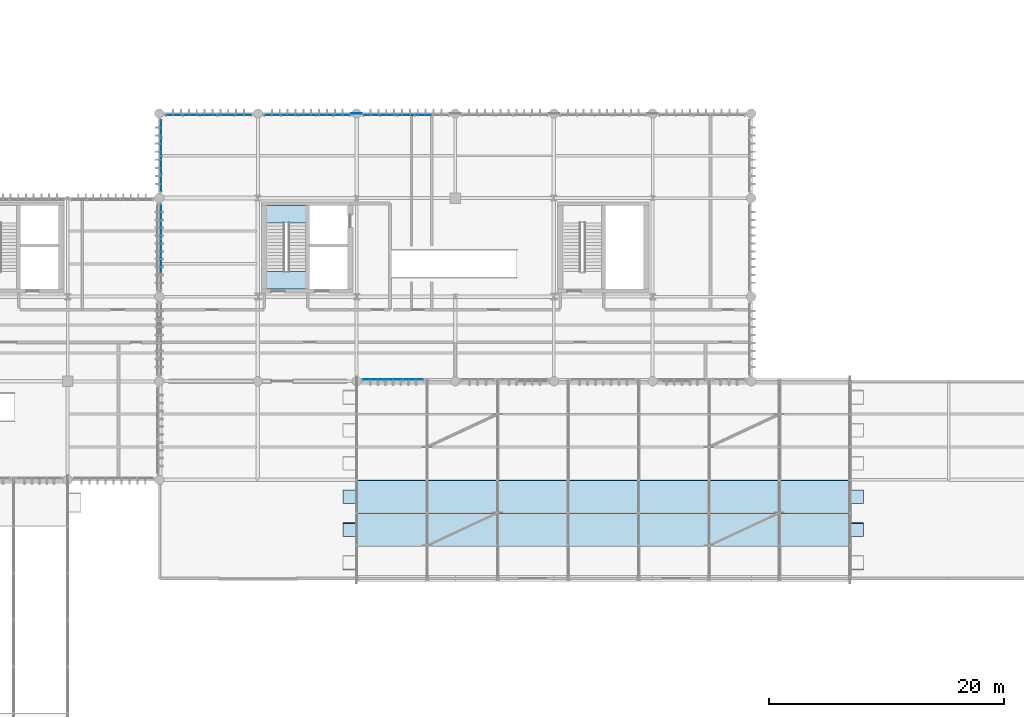
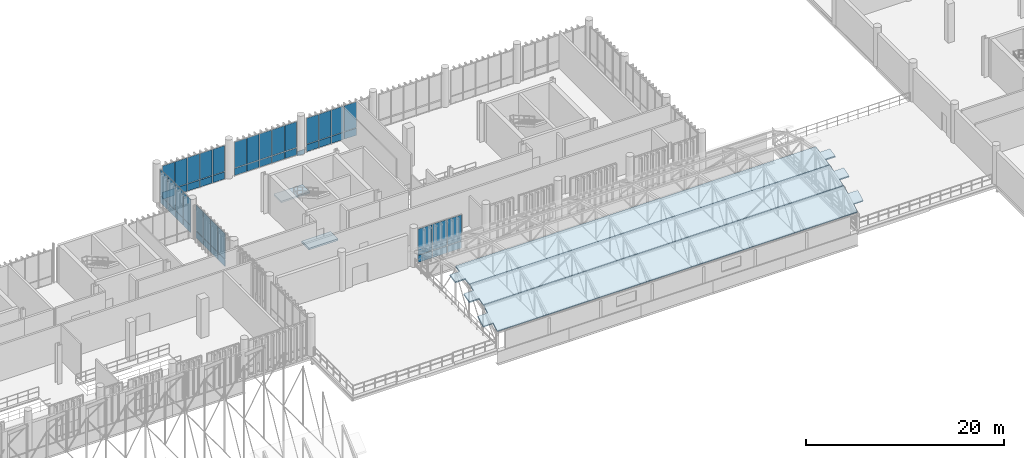
# One storey, part 82 of 109: 51 plates, 5 slabs, 7 elements without a shape of their own.
"""IFC4 building model written with IfcOpenShell, lengths in metres."""

from ifc_helpers import new_model, si_unit, direction, frame, frame_2d, origin_with_axes, origin_2d_with_axis, place, context, subcontext, project, spatial, polyline, rectangle, outline, extrude, material, layer, layer_set, type_object, element, aggregate, save


model = new_model("IFC4")

# Units and contexts
model_context = context("Model", 3, precision=1e-05, world=origin_with_axes(), true_north=direction((0.0, 1.0)))
body_context = subcontext(model_context, "Body", "Model", "MODEL_VIEW")
ifc_project = project(units=[si_unit("LENGTHUNIT", "METRE"), si_unit("AREAUNIT", "SQUARE_METRE"), si_unit("VOLUMEUNIT", "CUBIC_METRE"), si_unit("PLANEANGLEUNIT", "RADIAN"), si_unit("MASSUNIT", "GRAM", prefix="KILO"), si_unit("THERMODYNAMICTEMPERATUREUNIT", "KELVIN")], contexts=[model_context])

# Site, building, storey
site_placement = place(None, origin_with_axes())
site = spatial("IfcSite", under=ifc_project, at=site_placement, CompositionType="ELEMENT")
building_placement = place(site_placement, origin_with_axes())
building = spatial("IfcBuilding", under=site, at=building_placement, Name="Montbau Bow Law Courts", CompositionType="ELEMENT")
storey_placement = place(building_placement, frame((0.0, 0.0, 10.8), z_axis=(0.0, 0.0, 1.0), x_axis=(1.0, 0.0, 0.0)))
storey = spatial("IfcBuildingStorey", under=building, at=storey_placement, Name="L02", CompositionType="ELEMENT", Elevation=10.8)

# Curtain wall, plates
ifc_material_1 = material(Name="Thermally Broken Extruded Aluminium AA 6063-T6", Category="aluminium")
curtain_wall_type = type_object("IfcCurtainWallType", Name="CW-CRM-01", PredefinedType="NOTDEFINED", material=ifc_material_1)
curtain_wall_1_placement = place(None, frame((64.115, 39.14, 10.8), z_axis=(0.0, 0.0, 1.0), x_axis=(1.0, 0.0, 0.0)))
curtain_wall_1 = element("IfcCurtainWall", 1, at=curtain_wall_1_placement, inside=storey, type_object=curtain_wall_type, Name="CW-L02-157:cw_0157", PredefinedType="NOTDEFINED")
ifc_material_2 = material(Name="Triple-Glazed Low-E Argon Insulating Glass Unit", Category="glass")
ifc_layer_1 = layer(ifc_material_2, 0.044, Name="Curtain Panel", Category="glass")
ifc_layer_set_1 = layer_set([ifc_layer_1], Name="Triple-Glazed Low-E Argon Insulating Glass Unit")
plate_type_1 = type_object("IfcPlateType", Name="PL-CWP-01", PredefinedType="CURTAIN_PANEL", material=ifc_layer_set_1)
plate_1_placement = place(None, frame((64.183, 39.14, 11.78), z_axis=(0.0, -1.0, 0.0), x_axis=(1.0, 0.0, 0.0)))
plate_1 = element("IfcPlate", 2, at=plate_1_placement, type_object=plate_type_1, Name="CW-L02-157-P01-2:cw_0157_P01_2", PredefinedType="CURTAIN_PANEL", context=body_context, shape_type="SweptSolid", body=[
    extrude(rectangle(XDim=1.627, YDim=3.183, at=frame_2d((0.8135, 1.5915), x_axis=(1.0, 0.0))), frame((0.0, 0.0, -0.022), z_axis=(0.0, 0.0, 1.0), x_axis=(1.0, 0.0, 0.0)), (0.0, 0.0, 1.0), 0.044),
])
plate_2_placement = place(None, frame((65.879, 39.14, 11.78), z_axis=(0.0, -1.0, 0.0), x_axis=(1.0, 0.0, 0.0)))
plate_2 = element("IfcPlate", 3, at=plate_2_placement, type_object=plate_type_1, Name="CW-L02-157-P02-2:cw_0157_P02_2", PredefinedType="CURTAIN_PANEL", context=body_context, shape_type="SweptSolid", body=[
    extrude(rectangle(XDim=1.661, YDim=3.183, at=frame_2d((0.8305, 1.5915), x_axis=(1.0, 0.0))), frame((0.0, 0.0, -0.022), z_axis=(0.0, 0.0, 1.0), x_axis=(1.0, 0.0, 0.0)), (0.0, 0.0, 1.0), 0.044),
])
plate_3_placement = place(None, frame((67.609, 39.14, 11.78), z_axis=(0.0, -1.0, 0.0), x_axis=(1.0, 0.0, 0.0)))
plate_3 = element("IfcPlate", 4, at=plate_3_placement, type_object=plate_type_1, Name="CW-L02-157-P03-2:cw_0157_P03_2", PredefinedType="CURTAIN_PANEL", context=body_context, shape_type="SweptSolid", body=[
    extrude(rectangle(XDim=1.628, YDim=3.183, at=frame_2d((0.814, 1.5915), x_axis=(1.0, 0.0))), frame((0.0, 0.0, -0.022), z_axis=(0.0, 0.0, 1.0), x_axis=(1.0, 0.0, 0.0)), (0.0, 0.0, 1.0), 0.044),
])

curtain_wall_2_placement = place(None, frame((47.315, 61.66, 10.8), z_axis=(0.0, 0.0, 1.0), x_axis=(1.0, 0.0, 0.0)))
curtain_wall_2 = element("IfcCurtainWall", 5, at=curtain_wall_2_placement, inside=storey, type_object=curtain_wall_type, Name="CW-L02-163:cw_0163", PredefinedType="NOTDEFINED")
plate_4_placement = place(None, frame((47.383, 61.66, 11.78), z_axis=(0.0, -1.0, 0.0), x_axis=(1.0, 0.0, 0.0)))
plate_4 = element("IfcPlate", 6, at=plate_4_placement, type_object=plate_type_1, Name="CW-L02-163-P01-2:cw_0163_P01_2", PredefinedType="CURTAIN_PANEL", context=body_context, shape_type="SweptSolid", body=[
    extrude(rectangle(XDim=1.372, YDim=3.183, at=frame_2d((0.686, 1.5915), x_axis=(1.0, 0.0))), frame((0.0, 0.0, -0.022), z_axis=(0.0, 0.0, 1.0), x_axis=(1.0, 0.0, 0.0)), (0.0, 0.0, 1.0), 0.044),
])
plate_5_placement = place(None, frame((48.823, 61.66, 11.78), z_axis=(0.0, -1.0, 0.0), x_axis=(1.0, 0.0, 0.0)))
plate_5 = element("IfcPlate", 7, at=plate_5_placement, type_object=plate_type_1, Name="CW-L02-163-P02-2:cw_0163_P02_2", PredefinedType="CURTAIN_PANEL", context=body_context, shape_type="SweptSolid", body=[
    extrude(rectangle(XDim=1.405, YDim=3.183, at=frame_2d((0.7025, 1.5915), x_axis=(1.0, 0.0))), frame((0.0, 0.0, -0.022), z_axis=(0.0, 0.0, 1.0), x_axis=(1.0, 0.0, 0.0)), (0.0, 0.0, 1.0), 0.044),
])
plate_6_placement = place(None, frame((50.297, 61.66, 11.78), z_axis=(0.0, -1.0, 0.0), x_axis=(1.0, 0.0, 0.0)))
plate_6 = element("IfcPlate", 8, at=plate_6_placement, type_object=plate_type_1, Name="CW-L02-163-P03-2:cw_0163_P03_2", PredefinedType="CURTAIN_PANEL", context=body_context, shape_type="SweptSolid", body=[
    extrude(rectangle(XDim=1.406, YDim=3.183, at=frame_2d((0.703, 1.5915), x_axis=(1.0, 0.0))), frame((0.0, 0.0, -0.022), z_axis=(0.0, 0.0, 1.0), x_axis=(1.0, 0.0, 0.0)), (0.0, 0.0, 1.0), 0.044),
])
plate_7_placement = place(None, frame((51.771, 61.66, 11.78), z_axis=(0.0, -1.0, 0.0), x_axis=(1.0, 0.0, 0.0)))
plate_7 = element("IfcPlate", 9, at=plate_7_placement, type_object=plate_type_1, Name="CW-L02-163-P04-2:cw_0163_P04_2", PredefinedType="CURTAIN_PANEL", context=body_context, shape_type="SweptSolid", body=[
    extrude(rectangle(XDim=1.406, YDim=3.183, at=frame_2d((0.703, 1.5915), x_axis=(1.0, 0.0))), frame((0.0, 0.0, -0.022), z_axis=(0.0, 0.0, 1.0), x_axis=(1.0, 0.0, 0.0)), (0.0, 0.0, 1.0), 0.044),
])
plate_8_placement = place(None, frame((53.245, 61.66, 11.78), z_axis=(0.0, -1.0, 0.0), x_axis=(1.0, 0.0, 0.0)))
plate_8 = element("IfcPlate", 10, at=plate_8_placement, type_object=plate_type_1, Name="CW-L02-163-P05-2:cw_0163_P05_2", PredefinedType="CURTAIN_PANEL", context=body_context, shape_type="SweptSolid", body=[
    extrude(rectangle(XDim=1.374, YDim=3.183, at=frame_2d((0.687, 1.5915), x_axis=(1.0, 0.0))), frame((0.0, 0.0, -0.022), z_axis=(0.0, 0.0, 1.0), x_axis=(1.0, 0.0, 0.0)), (0.0, 0.0, 1.0), 0.044),
])

curtain_wall_3_placement = place(None, frame((55.715, 61.66, 10.8), z_axis=(0.0, 0.0, 1.0), x_axis=(1.0, 0.0, 0.0)))
curtain_wall_3 = element("IfcCurtainWall", 11, at=curtain_wall_3_placement, inside=storey, type_object=curtain_wall_type, Name="CW-L02-164:cw_0164", PredefinedType="NOTDEFINED")
plate_9_placement = place(None, frame((55.777, 61.66, 11.782), z_axis=(0.0, -1.0, 0.0), x_axis=(1.0, 0.0, 0.0)))
plate_9 = element("IfcPlate", 12, at=plate_9_placement, type_object=plate_type_1, Name="CW-L02-164-P01-2:cw_0164_P01_2", PredefinedType="CURTAIN_PANEL", context=body_context, shape_type="SweptSolid", body=[
    extrude(rectangle(XDim=1.38, YDim=3.176, at=frame_2d((0.69, 1.588), x_axis=(1.0, 0.0))), frame((0.0, 0.0, -0.022), z_axis=(0.0, 0.0, 1.0), x_axis=(1.0, 0.0, 0.0)), (0.0, 0.0, 1.0), 0.044),
])
plate_10_placement = place(None, frame((57.221, 61.66, 11.782), z_axis=(0.0, -1.0, 0.0), x_axis=(1.0, 0.0, 0.0)))
plate_10 = element("IfcPlate", 13, at=plate_10_placement, type_object=plate_type_1, Name="CW-L02-164-P02-2:cw_0164_P02_2", PredefinedType="CURTAIN_PANEL", context=body_context, shape_type="SweptSolid", body=[
    extrude(rectangle(XDim=1.41, YDim=3.176, at=frame_2d((0.705, 1.588), x_axis=(1.0, 0.0))), frame((0.0, 0.0, -0.022), z_axis=(0.0, 0.0, 1.0), x_axis=(1.0, 0.0, 0.0)), (0.0, 0.0, 1.0), 0.044),
])
plate_11_placement = place(None, frame((58.695, 61.66, 11.782), z_axis=(0.0, -1.0, 0.0), x_axis=(1.0, 0.0, 0.0)))
plate_11 = element("IfcPlate", 14, at=plate_11_placement, type_object=plate_type_1, Name="CW-L02-164-P03-2:cw_0164_P03_2", PredefinedType="CURTAIN_PANEL", context=body_context, shape_type="SweptSolid", body=[
    extrude(rectangle(XDim=1.41, YDim=3.176, at=frame_2d((0.705, 1.588), x_axis=(1.0, 0.0))), frame((0.0, 0.0, -0.022), z_axis=(0.0, 0.0, 1.0), x_axis=(1.0, 0.0, 0.0)), (0.0, 0.0, 1.0), 0.044),
])
plate_12_placement = place(None, frame((60.169, 61.66, 11.782), z_axis=(0.0, -1.0, 0.0), x_axis=(1.0, 0.0, 0.0)))
plate_12 = element("IfcPlate", 15, at=plate_12_placement, type_object=plate_type_1, Name="CW-L02-164-P04-2:cw_0164_P04_2", PredefinedType="CURTAIN_PANEL", context=body_context, shape_type="SweptSolid", body=[
    extrude(rectangle(XDim=1.41, YDim=3.176, at=frame_2d((0.705, 1.588), x_axis=(1.0, 0.0))), frame((0.0, 0.0, -0.022), z_axis=(0.0, 0.0, 1.0), x_axis=(1.0, 0.0, 0.0)), (0.0, 0.0, 1.0), 0.044),
])
plate_13_placement = place(None, frame((61.643, 61.66, 11.782), z_axis=(0.0, -1.0, 0.0), x_axis=(1.0, 0.0, 0.0)))
plate_13 = element("IfcPlate", 16, at=plate_13_placement, type_object=plate_type_1, Name="CW-L02-164-P05-2:cw_0164_P05_2", PredefinedType="CURTAIN_PANEL", context=body_context, shape_type="SweptSolid", body=[
    extrude(rectangle(XDim=1.38, YDim=3.176, at=frame_2d((0.69, 1.588), x_axis=(1.0, 0.0))), frame((0.0, 0.0, -0.022), z_axis=(0.0, 0.0, 1.0), x_axis=(1.0, 0.0, 0.0)), (0.0, 0.0, 1.0), 0.044),
])

curtain_wall_4_placement = place(None, frame((64.115, 61.66, 10.8), z_axis=(0.0, 0.0, 1.0), x_axis=(1.0, 0.0, 0.0)))
curtain_wall_4 = element("IfcCurtainWall", 17, at=curtain_wall_4_placement, inside=storey, type_object=curtain_wall_type, Name="CW-L02-165:cw_0165", PredefinedType="NOTDEFINED")
plate_14_placement = place(None, frame((64.191, 61.66, 11.78), z_axis=(0.0, -1.0, 0.0), x_axis=(1.0, 0.0, 0.0)))
plate_14 = element("IfcPlate", 18, at=plate_14_placement, type_object=plate_type_1, Name="CW-L02-165-P01-2:cw_0165_P01_2", PredefinedType="CURTAIN_PANEL", context=body_context, shape_type="SweptSolid", body=[
    extrude(rectangle(XDim=1.358, YDim=3.183, at=frame_2d((0.679, 1.5915), x_axis=(1.0, 0.0))), frame((0.0, 0.0, -0.022), z_axis=(0.0, 0.0, 1.0), x_axis=(1.0, 0.0, 0.0)), (0.0, 0.0, 1.0), 0.044),
])
plate_15_placement = place(None, frame((65.629, 61.66, 11.78), z_axis=(0.0, -1.0, 0.0), x_axis=(1.0, 0.0, 0.0)))
plate_15 = element("IfcPlate", 19, at=plate_15_placement, type_object=plate_type_1, Name="CW-L02-165-P02-2:cw_0165_P02_2", PredefinedType="CURTAIN_PANEL", context=body_context, shape_type="SweptSolid", body=[
    extrude(rectangle(XDim=1.395, YDim=3.183, at=frame_2d((0.6975, 1.5915), x_axis=(1.0, 0.0))), frame((0.0, 0.0, -0.022), z_axis=(0.0, 0.0, 1.0), x_axis=(1.0, 0.0, 0.0)), (0.0, 0.0, 1.0), 0.044),
])
plate_16_placement = place(None, frame((67.102, 61.66, 11.78), z_axis=(0.0, -1.0, 0.0), x_axis=(1.0, 0.0, 0.0)))
plate_16 = element("IfcPlate", 20, at=plate_16_placement, type_object=plate_type_1, Name="CW-L02-165-P03-2:cw_0165_P03_2", PredefinedType="CURTAIN_PANEL", context=body_context, shape_type="SweptSolid", body=[
    extrude(rectangle(XDim=1.396, YDim=3.183, at=frame_2d((0.698, 1.5915), x_axis=(1.0, 0.0))), frame((0.0, 0.0, -0.022), z_axis=(0.0, 0.0, 1.0), x_axis=(1.0, 0.0, 0.0)), (0.0, 0.0, 1.0), 0.044),
])
plate_17_placement = place(None, frame((68.576, 61.66, 11.78), z_axis=(0.0, -1.0, 0.0), x_axis=(1.0, 0.0, 0.0)))
plate_17 = element("IfcPlate", 21, at=plate_17_placement, type_object=plate_type_1, Name="CW-L02-165-P04-2:cw_0165_P04_2", PredefinedType="CURTAIN_PANEL", context=body_context, shape_type="SweptSolid", body=[
    extrude(rectangle(XDim=1.396, YDim=3.183, at=frame_2d((0.698, 1.5915), x_axis=(1.0, 0.0))), frame((0.0, 0.0, -0.022), z_axis=(0.0, 0.0, 1.0), x_axis=(1.0, 0.0, 0.0)), (0.0, 0.0, 1.0), 0.044),
])

curtain_wall_5_placement = place(None, frame((46.94, 46.715, 10.8), z_axis=(0.0, 0.0, 1.0), x_axis=(1.0, 0.0, 0.0)))
curtain_wall_5 = element("IfcCurtainWall", 22, at=curtain_wall_5_placement, inside=storey, type_object=curtain_wall_type, Name="CW-L02-170:cw_0170", PredefinedType="NOTDEFINED")
plate_18_placement = place(None, frame((46.94, 48.221, 11.782), z_axis=(1.0, 0.0, 0.0), x_axis=(0.0, 1.0, 0.0)))
plate_18 = element("IfcPlate", 23, at=plate_18_placement, type_object=plate_type_1, Name="CW-L02-170-P02-2:cw_0170_P02_2", PredefinedType="CURTAIN_PANEL", context=body_context, shape_type="SweptSolid", body=[
    extrude(rectangle(XDim=1.41, YDim=3.176, at=frame_2d((0.705, 1.588), x_axis=(1.0, 0.0))), frame((0.0, 0.0, -0.022), z_axis=(0.0, 0.0, 1.0), x_axis=(1.0, 0.0, 0.0)), (0.0, 0.0, 1.0), 0.044),
])
plate_19_placement = place(None, frame((46.94, 49.695, 11.782), z_axis=(1.0, 0.0, 0.0), x_axis=(0.0, 1.0, 0.0)))
plate_19 = element("IfcPlate", 24, at=plate_19_placement, type_object=plate_type_1, Name="CW-L02-170-P03-2:cw_0170_P03_2", PredefinedType="CURTAIN_PANEL", context=body_context, shape_type="SweptSolid", body=[
    extrude(rectangle(XDim=1.41, YDim=3.176, at=frame_2d((0.705, 1.588), x_axis=(1.0, 0.0))), frame((0.0, 0.0, -0.022), z_axis=(0.0, 0.0, 1.0), x_axis=(1.0, 0.0, 0.0)), (0.0, 0.0, 1.0), 0.044),
])
plate_20_placement = place(None, frame((46.94, 51.169, 11.782), z_axis=(1.0, 0.0, 0.0), x_axis=(0.0, 1.0, 0.0)))
plate_20 = element("IfcPlate", 25, at=plate_20_placement, type_object=plate_type_1, Name="CW-L02-170-P04-2:cw_0170_P04_2", PredefinedType="CURTAIN_PANEL", context=body_context, shape_type="SweptSolid", body=[
    extrude(rectangle(XDim=1.41, YDim=3.176, at=frame_2d((0.705, 1.588), x_axis=(1.0, 0.0))), frame((0.0, 0.0, -0.022), z_axis=(0.0, 0.0, 1.0), x_axis=(1.0, 0.0, 0.0)), (0.0, 0.0, 1.0), 0.044),
])
plate_21_placement = place(None, frame((46.94, 52.643, 11.782), z_axis=(1.0, 0.0, 0.0), x_axis=(0.0, 1.0, 0.0)))
plate_21 = element("IfcPlate", 26, at=plate_21_placement, type_object=plate_type_1, Name="CW-L02-170-P05-2:cw_0170_P05_2", PredefinedType="CURTAIN_PANEL", context=body_context, shape_type="SweptSolid", body=[
    extrude(rectangle(XDim=1.38, YDim=3.176, at=frame_2d((0.69, 1.588), x_axis=(1.0, 0.0))), frame((0.0, 0.0, -0.022), z_axis=(0.0, 0.0, 1.0), x_axis=(1.0, 0.0, 0.0)), (0.0, 0.0, 1.0), 0.044),
])

curtain_wall_6_placement = place(None, frame((46.94, 55.115, 10.8), z_axis=(0.0, 0.0, 1.0), x_axis=(1.0, 0.0, 0.0)))
curtain_wall_6 = element("IfcCurtainWall", 27, at=curtain_wall_6_placement, inside=storey, type_object=curtain_wall_type, Name="CW-L02-171:cw_0171", PredefinedType="NOTDEFINED")
plate_22_placement = place(None, frame((46.94, 55.191, 11.78), z_axis=(1.0, 0.0, 0.0), x_axis=(0.0, 1.0, 0.0)))
plate_22 = element("IfcPlate", 28, at=plate_22_placement, type_object=plate_type_1, Name="CW-L02-171-P01-2:cw_0171_P01_2", PredefinedType="CURTAIN_PANEL", context=body_context, shape_type="SweptSolid", body=[
    extrude(rectangle(XDim=1.426, YDim=3.183, at=frame_2d((0.713, 1.5915), x_axis=(1.0, 0.0))), frame((0.0, 0.0, -0.022), z_axis=(0.0, 0.0, 1.0), x_axis=(1.0, 0.0, 0.0)), (0.0, 0.0, 1.0), 0.044),
])
plate_23_placement = place(None, frame((46.94, 56.697, 11.78), z_axis=(1.0, 0.0, 0.0), x_axis=(0.0, 1.0, 0.0)))
plate_23 = element("IfcPlate", 29, at=plate_23_placement, type_object=plate_type_1, Name="CW-L02-171-P02-2:cw_0171_P02_2", PredefinedType="CURTAIN_PANEL", context=body_context, shape_type="SweptSolid", body=[
    extrude(rectangle(XDim=1.464, YDim=3.183, at=frame_2d((0.732, 1.5915), x_axis=(1.0, 0.0))), frame((0.0, 0.0, -0.022), z_axis=(0.0, 0.0, 1.0), x_axis=(1.0, 0.0, 0.0)), (0.0, 0.0, 1.0), 0.044),
])
plate_24_placement = place(None, frame((46.94, 58.239, 11.78), z_axis=(1.0, 0.0, 0.0), x_axis=(0.0, 1.0, 0.0)))
plate_24 = element("IfcPlate", 30, at=plate_24_placement, type_object=plate_type_1, Name="CW-L02-171-P03-2:cw_0171_P03_2", PredefinedType="CURTAIN_PANEL", context=body_context, shape_type="SweptSolid", body=[
    extrude(rectangle(XDim=1.464, YDim=3.183, at=frame_2d((0.732, 1.5915), x_axis=(1.0, 0.0))), frame((0.0, 0.0, -0.022), z_axis=(0.0, 0.0, 1.0), x_axis=(1.0, 0.0, 0.0)), (0.0, 0.0, 1.0), 0.044),
])
plate_25_placement = place(None, frame((46.94, 59.781, 11.78), z_axis=(1.0, 0.0, 0.0), x_axis=(0.0, 1.0, 0.0)))
plate_25 = element("IfcPlate", 31, at=plate_25_placement, type_object=plate_type_1, Name="CW-L02-171-P04-2:cw_0171_P04_2", PredefinedType="CURTAIN_PANEL", context=body_context, shape_type="SweptSolid", body=[
    extrude(rectangle(XDim=1.427, YDim=3.183, at=frame_2d((0.7135, 1.5915), x_axis=(1.0, 0.0))), frame((0.0, 0.0, -0.022), z_axis=(0.0, 0.0, 1.0), x_axis=(1.0, 0.0, 0.0)), (0.0, 0.0, 1.0), 0.044),
])

# Plate
ifc_material_3 = material(Name="Insulated Ceramic-Frit Spandrel Glazing Unit", Category="glass")
ifc_layer_2 = layer(ifc_material_3, 0.056, Name="Curtain Panel", Category="glass")
ifc_layer_set_2 = layer_set([ifc_layer_2], Name="Insulated Ceramic-Frit Spandrel Glazing Unit")
plate_type_2 = type_object("IfcPlateType", Name="PL-CWP-02", PredefinedType="CURTAIN_PANEL", material=ifc_layer_set_2)
plate_26_placement = place(None, frame((64.183, 39.14, 10.857), z_axis=(0.0, -1.0, 0.0), x_axis=(1.0, 0.0, 0.0)))
plate_26 = element("IfcPlate", 32, at=plate_26_placement, type_object=plate_type_2, Name="CW-L02-157-P01-1:cw_0157_P01_1", PredefinedType="CURTAIN_PANEL", context=body_context, shape_type="SweptSolid", body=[
    extrude(rectangle(XDim=1.627, YDim=0.863, at=frame_2d((0.8135, 0.4315), x_axis=(1.0, 0.0))), frame((0.0, 0.0, -0.028), z_axis=(0.0, 0.0, 1.0), x_axis=(1.0, 0.0, 0.0)), (0.0, 0.0, 1.0), 0.056),
])

plate_27_placement = place(None, frame((65.879, 39.14, 10.857), z_axis=(0.0, -1.0, 0.0), x_axis=(1.0, 0.0, 0.0)))
plate_27 = element("IfcPlate", 33, at=plate_27_placement, type_object=plate_type_2, Name="CW-L02-157-P02-1:cw_0157_P02_1", PredefinedType="CURTAIN_PANEL", context=body_context, shape_type="SweptSolid", body=[
    extrude(rectangle(XDim=1.661, YDim=0.863, at=frame_2d((0.8305, 0.4315), x_axis=(1.0, 0.0))), frame((0.0, 0.0, -0.028), z_axis=(0.0, 0.0, 1.0), x_axis=(1.0, 0.0, 0.0)), (0.0, 0.0, 1.0), 0.056),
])

plate_28_placement = place(None, frame((67.609, 39.14, 10.857), z_axis=(0.0, -1.0, 0.0), x_axis=(1.0, 0.0, 0.0)))
plate_28 = element("IfcPlate", 34, at=plate_28_placement, type_object=plate_type_2, Name="CW-L02-157-P03-1:cw_0157_P03_1", PredefinedType="CURTAIN_PANEL", context=body_context, shape_type="SweptSolid", body=[
    extrude(rectangle(XDim=1.628, YDim=0.863, at=frame_2d((0.814, 0.4315), x_axis=(1.0, 0.0))), frame((0.0, 0.0, -0.028), z_axis=(0.0, 0.0, 1.0), x_axis=(1.0, 0.0, 0.0)), (0.0, 0.0, 1.0), 0.056),
])

aggregate(curtain_wall_1, [plate_26, plate_1, plate_27, plate_2, plate_28, plate_3])

plate_29_placement = place(None, frame((47.383, 61.66, 10.857), z_axis=(0.0, -1.0, 0.0), x_axis=(1.0, 0.0, 0.0)))
plate_29 = element("IfcPlate", 35, at=plate_29_placement, type_object=plate_type_2, Name="CW-L02-163-P01-1:cw_0163_P01_1", PredefinedType="CURTAIN_PANEL", context=body_context, shape_type="SweptSolid", body=[
    extrude(rectangle(XDim=1.372, YDim=0.863, at=frame_2d((0.686, 0.4315), x_axis=(1.0, 0.0))), frame((0.0, 0.0, -0.028), z_axis=(0.0, 0.0, 1.0), x_axis=(1.0, 0.0, 0.0)), (0.0, 0.0, 1.0), 0.056),
])

plate_30_placement = place(None, frame((48.823, 61.66, 10.857), z_axis=(0.0, -1.0, 0.0), x_axis=(1.0, 0.0, 0.0)))
plate_30 = element("IfcPlate", 36, at=plate_30_placement, type_object=plate_type_2, Name="CW-L02-163-P02-1:cw_0163_P02_1", PredefinedType="CURTAIN_PANEL", context=body_context, shape_type="SweptSolid", body=[
    extrude(rectangle(XDim=1.405, YDim=0.863, at=frame_2d((0.7025, 0.4315), x_axis=(1.0, 0.0))), frame((0.0, 0.0, -0.028), z_axis=(0.0, 0.0, 1.0), x_axis=(1.0, 0.0, 0.0)), (0.0, 0.0, 1.0), 0.056),
])

plate_31_placement = place(None, frame((50.297, 61.66, 10.857), z_axis=(0.0, -1.0, 0.0), x_axis=(1.0, 0.0, 0.0)))
plate_31 = element("IfcPlate", 37, at=plate_31_placement, type_object=plate_type_2, Name="CW-L02-163-P03-1:cw_0163_P03_1", PredefinedType="CURTAIN_PANEL", context=body_context, shape_type="SweptSolid", body=[
    extrude(rectangle(XDim=1.406, YDim=0.863, at=frame_2d((0.703, 0.4315), x_axis=(1.0, 0.0))), frame((0.0, 0.0, -0.028), z_axis=(0.0, 0.0, 1.0), x_axis=(1.0, 0.0, 0.0)), (0.0, 0.0, 1.0), 0.056),
])

plate_32_placement = place(None, frame((51.771, 61.66, 10.857), z_axis=(0.0, -1.0, 0.0), x_axis=(1.0, 0.0, 0.0)))
plate_32 = element("IfcPlate", 38, at=plate_32_placement, type_object=plate_type_2, Name="CW-L02-163-P04-1:cw_0163_P04_1", PredefinedType="CURTAIN_PANEL", context=body_context, shape_type="SweptSolid", body=[
    extrude(rectangle(XDim=1.406, YDim=0.863, at=frame_2d((0.703, 0.4315), x_axis=(1.0, 0.0))), frame((0.0, 0.0, -0.028), z_axis=(0.0, 0.0, 1.0), x_axis=(1.0, 0.0, 0.0)), (0.0, 0.0, 1.0), 0.056),
])

plate_33_placement = place(None, frame((53.245, 61.66, 10.857), z_axis=(0.0, -1.0, 0.0), x_axis=(1.0, 0.0, 0.0)))
plate_33 = element("IfcPlate", 39, at=plate_33_placement, type_object=plate_type_2, Name="CW-L02-163-P05-1:cw_0163_P05_1", PredefinedType="CURTAIN_PANEL", context=body_context, shape_type="SweptSolid", body=[
    extrude(rectangle(XDim=1.374, YDim=0.863, at=frame_2d((0.687, 0.4315), x_axis=(1.0, 0.0))), frame((0.0, 0.0, -0.028), z_axis=(0.0, 0.0, 1.0), x_axis=(1.0, 0.0, 0.0)), (0.0, 0.0, 1.0), 0.056),
])

aggregate(curtain_wall_2, [plate_29, plate_4, plate_30, plate_5, plate_31, plate_6, plate_32, plate_7, plate_33, plate_8])

plate_34_placement = place(None, frame((55.777, 61.66, 10.862), z_axis=(0.0, -1.0, 0.0), x_axis=(1.0, 0.0, 0.0)))
plate_34 = element("IfcPlate", 40, at=plate_34_placement, type_object=plate_type_2, Name="CW-L02-164-P01-1:cw_0164_P01_1", PredefinedType="CURTAIN_PANEL", context=body_context, shape_type="SweptSolid", body=[
    extrude(rectangle(XDim=1.38, YDim=0.856, at=frame_2d((0.69, 0.428), x_axis=(1.0, 0.0))), frame((0.0, 0.0, -0.028), z_axis=(0.0, 0.0, 1.0), x_axis=(1.0, 0.0, 0.0)), (0.0, 0.0, 1.0), 0.056),
])

plate_35_placement = place(None, frame((57.221, 61.66, 10.862), z_axis=(0.0, -1.0, 0.0), x_axis=(1.0, 0.0, 0.0)))
plate_35 = element("IfcPlate", 41, at=plate_35_placement, type_object=plate_type_2, Name="CW-L02-164-P02-1:cw_0164_P02_1", PredefinedType="CURTAIN_PANEL", context=body_context, shape_type="SweptSolid", body=[
    extrude(rectangle(XDim=1.41, YDim=0.856, at=frame_2d((0.705, 0.428), x_axis=(1.0, 0.0))), frame((0.0, 0.0, -0.028), z_axis=(0.0, 0.0, 1.0), x_axis=(1.0, 0.0, 0.0)), (0.0, 0.0, 1.0), 0.056),
])

plate_36_placement = place(None, frame((58.695, 61.66, 10.862), z_axis=(0.0, -1.0, 0.0), x_axis=(1.0, 0.0, 0.0)))
plate_36 = element("IfcPlate", 42, at=plate_36_placement, type_object=plate_type_2, Name="CW-L02-164-P03-1:cw_0164_P03_1", PredefinedType="CURTAIN_PANEL", context=body_context, shape_type="SweptSolid", body=[
    extrude(rectangle(XDim=1.41, YDim=0.856, at=frame_2d((0.705, 0.428), x_axis=(1.0, 0.0))), frame((0.0, 0.0, -0.028), z_axis=(0.0, 0.0, 1.0), x_axis=(1.0, 0.0, 0.0)), (0.0, 0.0, 1.0), 0.056),
])

plate_37_placement = place(None, frame((60.169, 61.66, 10.862), z_axis=(0.0, -1.0, 0.0), x_axis=(1.0, 0.0, 0.0)))
plate_37 = element("IfcPlate", 43, at=plate_37_placement, type_object=plate_type_2, Name="CW-L02-164-P04-1:cw_0164_P04_1", PredefinedType="CURTAIN_PANEL", context=body_context, shape_type="SweptSolid", body=[
    extrude(rectangle(XDim=1.41, YDim=0.856, at=frame_2d((0.705, 0.428), x_axis=(1.0, 0.0))), frame((0.0, 0.0, -0.028), z_axis=(0.0, 0.0, 1.0), x_axis=(1.0, 0.0, 0.0)), (0.0, 0.0, 1.0), 0.056),
])

plate_38_placement = place(None, frame((61.643, 61.66, 10.862), z_axis=(0.0, -1.0, 0.0), x_axis=(1.0, 0.0, 0.0)))
plate_38 = element("IfcPlate", 44, at=plate_38_placement, type_object=plate_type_2, Name="CW-L02-164-P05-1:cw_0164_P05_1", PredefinedType="CURTAIN_PANEL", context=body_context, shape_type="SweptSolid", body=[
    extrude(rectangle(XDim=1.38, YDim=0.856, at=frame_2d((0.69, 0.428), x_axis=(1.0, 0.0))), frame((0.0, 0.0, -0.028), z_axis=(0.0, 0.0, 1.0), x_axis=(1.0, 0.0, 0.0)), (0.0, 0.0, 1.0), 0.056),
])

aggregate(curtain_wall_3, [plate_34, plate_9, plate_35, plate_10, plate_36, plate_11, plate_37, plate_12, plate_38, plate_13])

plate_39_placement = place(None, frame((64.191, 61.66, 10.857), z_axis=(0.0, -1.0, 0.0), x_axis=(1.0, 0.0, 0.0)))
plate_39 = element("IfcPlate", 45, at=plate_39_placement, type_object=plate_type_2, Name="CW-L02-165-P01-1:cw_0165_P01_1", PredefinedType="CURTAIN_PANEL", context=body_context, shape_type="SweptSolid", body=[
    extrude(rectangle(XDim=1.358, YDim=0.863, at=frame_2d((0.679, 0.4315), x_axis=(1.0, 0.0))), frame((0.0, 0.0, -0.028), z_axis=(0.0, 0.0, 1.0), x_axis=(1.0, 0.0, 0.0)), (0.0, 0.0, 1.0), 0.056),
])

plate_40_placement = place(None, frame((65.629, 61.66, 10.857), z_axis=(0.0, -1.0, 0.0), x_axis=(1.0, 0.0, 0.0)))
plate_40 = element("IfcPlate", 46, at=plate_40_placement, type_object=plate_type_2, Name="CW-L02-165-P02-1:cw_0165_P02_1", PredefinedType="CURTAIN_PANEL", context=body_context, shape_type="SweptSolid", body=[
    extrude(rectangle(XDim=1.395, YDim=0.863, at=frame_2d((0.6975, 0.4315), x_axis=(1.0, 0.0))), frame((0.0, 0.0, -0.028), z_axis=(0.0, 0.0, 1.0), x_axis=(1.0, 0.0, 0.0)), (0.0, 0.0, 1.0), 0.056),
])

plate_41_placement = place(None, frame((67.102, 61.66, 10.857), z_axis=(0.0, -1.0, 0.0), x_axis=(1.0, 0.0, 0.0)))
plate_41 = element("IfcPlate", 47, at=plate_41_placement, type_object=plate_type_2, Name="CW-L02-165-P03-1:cw_0165_P03_1", PredefinedType="CURTAIN_PANEL", context=body_context, shape_type="SweptSolid", body=[
    extrude(rectangle(XDim=1.396, YDim=0.863, at=frame_2d((0.698, 0.4315), x_axis=(1.0, 0.0))), frame((0.0, 0.0, -0.028), z_axis=(0.0, 0.0, 1.0), x_axis=(1.0, 0.0, 0.0)), (0.0, 0.0, 1.0), 0.056),
])

plate_42_placement = place(None, frame((68.576, 61.66, 10.857), z_axis=(0.0, -1.0, 0.0), x_axis=(1.0, 0.0, 0.0)))
plate_42 = element("IfcPlate", 48, at=plate_42_placement, type_object=plate_type_2, Name="CW-L02-165-P04-1:cw_0165_P04_1", PredefinedType="CURTAIN_PANEL", context=body_context, shape_type="SweptSolid", body=[
    extrude(rectangle(XDim=1.396, YDim=0.863, at=frame_2d((0.698, 0.4315), x_axis=(1.0, 0.0))), frame((0.0, 0.0, -0.028), z_axis=(0.0, 0.0, 1.0), x_axis=(1.0, 0.0, 0.0)), (0.0, 0.0, 1.0), 0.056),
])

aggregate(curtain_wall_4, [plate_39, plate_14, plate_40, plate_15, plate_41, plate_16, plate_42, plate_17])

plate_43_placement = place(None, frame((46.94, 48.221, 10.862), z_axis=(1.0, 0.0, 0.0), x_axis=(0.0, 1.0, 0.0)))
plate_43 = element("IfcPlate", 49, at=plate_43_placement, type_object=plate_type_2, Name="CW-L02-170-P02-1:cw_0170_P02_1", PredefinedType="CURTAIN_PANEL", context=body_context, shape_type="SweptSolid", body=[
    extrude(rectangle(XDim=1.41, YDim=0.856, at=frame_2d((0.705, 0.428), x_axis=(1.0, 0.0))), frame((0.0, 0.0, -0.028), z_axis=(0.0, 0.0, 1.0), x_axis=(1.0, 0.0, 0.0)), (0.0, 0.0, 1.0), 0.056),
])

plate_44_placement = place(None, frame((46.94, 49.695, 10.862), z_axis=(1.0, 0.0, 0.0), x_axis=(0.0, 1.0, 0.0)))
plate_44 = element("IfcPlate", 50, at=plate_44_placement, type_object=plate_type_2, Name="CW-L02-170-P03-1:cw_0170_P03_1", PredefinedType="CURTAIN_PANEL", context=body_context, shape_type="SweptSolid", body=[
    extrude(rectangle(XDim=1.41, YDim=0.856, at=frame_2d((0.705, 0.428), x_axis=(1.0, 0.0))), frame((0.0, 0.0, -0.028), z_axis=(0.0, 0.0, 1.0), x_axis=(1.0, 0.0, 0.0)), (0.0, 0.0, 1.0), 0.056),
])

plate_45_placement = place(None, frame((46.94, 51.169, 10.862), z_axis=(1.0, 0.0, 0.0), x_axis=(0.0, 1.0, 0.0)))
plate_45 = element("IfcPlate", 51, at=plate_45_placement, type_object=plate_type_2, Name="CW-L02-170-P04-1:cw_0170_P04_1", PredefinedType="CURTAIN_PANEL", context=body_context, shape_type="SweptSolid", body=[
    extrude(rectangle(XDim=1.41, YDim=0.856, at=frame_2d((0.705, 0.428), x_axis=(1.0, 0.0))), frame((0.0, 0.0, -0.028), z_axis=(0.0, 0.0, 1.0), x_axis=(1.0, 0.0, 0.0)), (0.0, 0.0, 1.0), 0.056),
])

plate_46_placement = place(None, frame((46.94, 52.643, 10.862), z_axis=(1.0, 0.0, 0.0), x_axis=(0.0, 1.0, 0.0)))
plate_46 = element("IfcPlate", 52, at=plate_46_placement, type_object=plate_type_2, Name="CW-L02-170-P05-1:cw_0170_P05_1", PredefinedType="CURTAIN_PANEL", context=body_context, shape_type="SweptSolid", body=[
    extrude(rectangle(XDim=1.38, YDim=0.856, at=frame_2d((0.69, 0.428), x_axis=(1.0, 0.0))), frame((0.0, 0.0, -0.028), z_axis=(0.0, 0.0, 1.0), x_axis=(1.0, 0.0, 0.0)), (0.0, 0.0, 1.0), 0.056),
])

aggregate(curtain_wall_5, [plate_43, plate_18, plate_44, plate_19, plate_45, plate_20, plate_46, plate_21])

plate_47_placement = place(None, frame((46.94, 55.191, 10.857), z_axis=(1.0, 0.0, 0.0), x_axis=(0.0, 1.0, 0.0)))
plate_47 = element("IfcPlate", 53, at=plate_47_placement, type_object=plate_type_2, Name="CW-L02-171-P01-1:cw_0171_P01_1", PredefinedType="CURTAIN_PANEL", context=body_context, shape_type="SweptSolid", body=[
    extrude(rectangle(XDim=1.426, YDim=0.863, at=frame_2d((0.713, 0.4315), x_axis=(1.0, 0.0))), frame((0.0, 0.0, -0.028), z_axis=(0.0, 0.0, 1.0), x_axis=(1.0, 0.0, 0.0)), (0.0, 0.0, 1.0), 0.056),
])

plate_48_placement = place(None, frame((46.94, 56.697, 10.857), z_axis=(1.0, 0.0, 0.0), x_axis=(0.0, 1.0, 0.0)))
plate_48 = element("IfcPlate", 54, at=plate_48_placement, type_object=plate_type_2, Name="CW-L02-171-P02-1:cw_0171_P02_1", PredefinedType="CURTAIN_PANEL", context=body_context, shape_type="SweptSolid", body=[
    extrude(rectangle(XDim=1.464, YDim=0.863, at=frame_2d((0.732, 0.4315), x_axis=(1.0, 0.0))), frame((0.0, 0.0, -0.028), z_axis=(0.0, 0.0, 1.0), x_axis=(1.0, 0.0, 0.0)), (0.0, 0.0, 1.0), 0.056),
])

plate_49_placement = place(None, frame((46.94, 58.239, 10.857), z_axis=(1.0, 0.0, 0.0), x_axis=(0.0, 1.0, 0.0)))
plate_49 = element("IfcPlate", 55, at=plate_49_placement, type_object=plate_type_2, Name="CW-L02-171-P03-1:cw_0171_P03_1", PredefinedType="CURTAIN_PANEL", context=body_context, shape_type="SweptSolid", body=[
    extrude(rectangle(XDim=1.464, YDim=0.863, at=frame_2d((0.732, 0.4315), x_axis=(1.0, 0.0))), frame((0.0, 0.0, -0.028), z_axis=(0.0, 0.0, 1.0), x_axis=(1.0, 0.0, 0.0)), (0.0, 0.0, 1.0), 0.056),
])

plate_50_placement = place(None, frame((46.94, 59.781, 10.857), z_axis=(1.0, 0.0, 0.0), x_axis=(0.0, 1.0, 0.0)))
plate_50 = element("IfcPlate", 56, at=plate_50_placement, type_object=plate_type_2, Name="CW-L02-171-P04-1:cw_0171_P04_1", PredefinedType="CURTAIN_PANEL", context=body_context, shape_type="SweptSolid", body=[
    extrude(rectangle(XDim=1.427, YDim=0.863, at=frame_2d((0.7135, 0.4315), x_axis=(1.0, 0.0))), frame((0.0, 0.0, -0.028), z_axis=(0.0, 0.0, 1.0), x_axis=(1.0, 0.0, 0.0)), (0.0, 0.0, 1.0), 0.056),
])

aggregate(curtain_wall_6, [plate_47, plate_22, plate_48, plate_23, plate_49, plate_24, plate_50, plate_25])

ifc_material_4 = material(Name="Steel CSA G40.21 Grade 350WT (350 MPa)", Category="steel")
ifc_layer_3 = layer(ifc_material_4, 0.032, Name="Gusset Plate", Category="steel")
ifc_layer_set_3 = layer_set([ifc_layer_3], Name="Steel CSA G40.21 Grade 350WT (350 MPa)")
plate_type_3 = type_object("IfcPlateType", Name="PL-GUS-01", PredefinedType="USERDEFINED", material=ifc_layer_set_3)
plate_51_placement = place(None, frame((63.6, 61.8, 10.57), z_axis=(0.0, 0.0, 1.0), x_axis=(1.0, 0.0, 0.0)))
element("IfcPlate", 57, at=plate_51_placement, inside=storey, type_object=plate_type_3, Name="BGP-L02-130:plt_0161", ObjectType="GUSSET_PLATE", PredefinedType="USERDEFINED", context=body_context, shape_type="SweptSolid", body=[
    extrude(rectangle(XDim=0.9, YDim=0.032, at=origin_2d_with_axis()), origin_with_axes(), (0.0, 0.0, 1.0), 0.56),
])

# Stair, slabs
ifc_material_5 = material(Name="Concrete CSA A23.1 f'c 40 MPa", Category="concrete")
stair_type = type_object("IfcStairType", Name="ST-PUB-1800", PredefinedType="HALF_TURN_STAIR", material=ifc_material_5)
stair_placement = place(None, frame((56.73, 48.3, 10.8), z_axis=(0.0, 0.0, 1.0), x_axis=(1.0, 0.0, 0.0)))
stair = element("IfcStair", 58, at=stair_placement, inside=storey, type_object=stair_type, Name="ST-P4-L02:str_0020", PredefinedType="HALF_TURN_STAIR")
ifc_layer_4 = layer(ifc_material_5, 0.21, Name="Landing", Category="concrete")
ifc_layer_set_4 = layer_set([ifc_layer_4], Name="Concrete CSA A23.1 f'c 40 MPa")
slab_type_1 = type_object("IfcSlabType", Name="SL-LND-02", PredefinedType="LANDING", material=ifc_layer_set_4)
slab_1_placement = place(None, frame((0.0, 0.0, 10.59), z_axis=(0.0, 0.0, 1.0), x_axis=(1.0, 0.0, 0.0)))
slab_1 = element("IfcSlab", 59, at=slab_1_placement, type_object=slab_type_1, Name="ST-P4-L02-LB:str_0020_LB", PredefinedType="LANDING", context=body_context, shape_type="SweptSolid", body=[
    extrude(outline(polyline([(55.92, 46.84), (59.3, 46.84), (59.3, 48.34), (55.92, 48.34), (55.92, 46.84)])), origin_with_axes(), (0.0, 0.0, 1.0), 0.21),
])
slab_2_placement = place(None, frame((0.0, 0.0, 12.99), z_axis=(0.0, 0.0, 1.0), x_axis=(1.0, 0.0, 0.0)))
slab_2 = element("IfcSlab", 60, at=slab_2_placement, type_object=slab_type_1, Name="ST-P4-L02-LM:str_0020_LM", PredefinedType="LANDING", context=body_context, shape_type="SweptSolid", body=[
    extrude(outline(polyline([(55.92, 52.46), (59.3, 52.46), (59.3, 53.96), (55.92, 53.96), (55.92, 52.46)])), origin_with_axes(), (0.0, 0.0, 1.0), 0.21),
])
aggregate(stair, [slab_1, slab_2])

# Slabs
ifc_layer_5 = layer(ifc_material_5, 0.19, Name="Roof Slab", Category="concrete")
ifc_layer_set_5 = layer_set([ifc_layer_5], Name="Concrete CSA A23.1 f'c 40 MPa")
slab_type_2 = type_object("IfcSlabType", Name="SL-ROF-03", PredefinedType="ROOF", material=ifc_layer_set_5)
slab_3_placement = place(None, frame((0.0, 0.0, 0.819448), z_axis=(0.0, -0.473784701, 0.880640708), x_axis=(1.0, 0.0, 0.0)))
element("IfcSlab", 61, at=slab_3_placement, inside=storey, type_object=slab_type_2, Name="BV-SLB-V4-F1:slb_0080", PredefinedType="ROOF", context=body_context, shape_type="SweptSolid", body=[
    extrude(outline(polyline([(63.6, 25.208919), (105.6, 25.208919), (105.6, 26.16277), (106.75, 26.16277), (106.75, 27.434571), (105.6, 27.434571), (105.6, 28.388422), (63.6, 28.388422), (63.6, 27.434571), (62.45, 27.434571), (62.45, 26.16277), (63.6, 26.16277), (63.6, 25.208919)])), origin_with_axes(), (0.0, 0.0, 1.0), 0.19),
])
slab_4_placement = place(None, frame((0.0, 0.0, 6.868451), z_axis=(0.0, -0.283827137, 0.958875464), x_axis=(1.0, 0.0, 0.0)))
element("IfcSlab", 62, at=slab_4_placement, inside=storey, type_object=slab_type_2, Name="BV-SLB-V4-F2:slb_0081", PredefinedType="ROOF", context=body_context, shape_type="SweptSolid", body=[
    extrude(outline(polyline([(63.6, 26.072207), (105.6, 26.072207), (105.6, 26.948234), (106.75, 26.948234), (106.75, 28.116268), (105.6, 28.116268), (105.6, 28.992295), (63.6, 28.992295), (63.6, 28.116268), (62.45, 28.116268), (62.45, 26.948234), (63.6, 26.948234), (63.6, 26.072207)])), origin_with_axes(), (0.0, 0.0, 1.0), 0.19),
])
slab_5_placement = place(None, frame((0.0, 0.0, 9.676421), z_axis=(0.0, -0.191395051, 0.981513084), x_axis=(1.0, 0.0, 0.0)))
element("IfcSlab", 63, at=slab_5_placement, inside=storey, type_object=slab_type_2, Name="BV-SLB-V4-F3:slb_0082", PredefinedType="ROOF", context=body_context, shape_type="SweptSolid", body=[
    extrude(outline(polyline([(63.6, 28.323616), (105.6, 28.323616), (105.6, 29.179438), (106.75, 29.179438), (106.75, 30.320533), (105.6, 30.320533), (105.6, 31.176355), (63.6, 31.176355), (63.6, 30.320533), (62.45, 30.320533), (62.45, 29.179438), (63.6, 29.179438), (63.6, 28.323616)])), origin_with_axes(), (0.0, 0.0, 1.0), 0.19),
])

save(model, "model.ifc")
